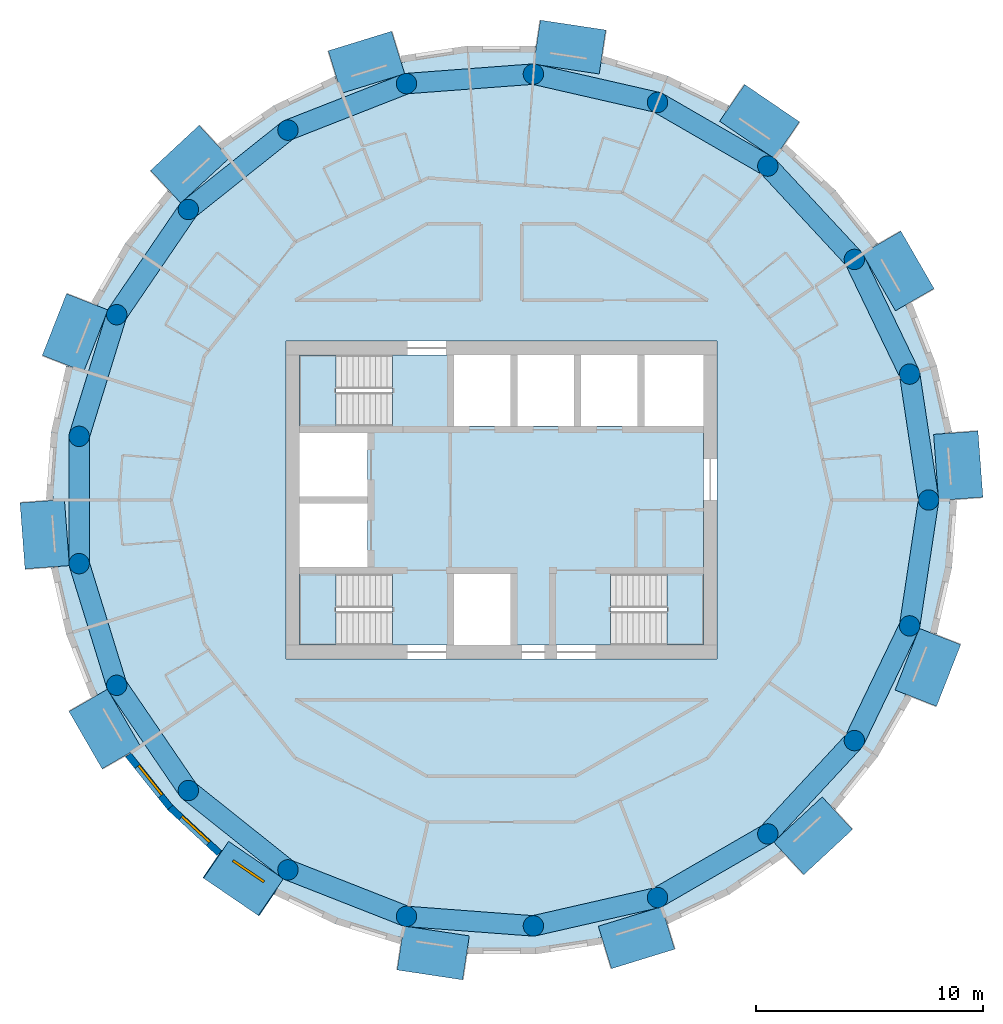
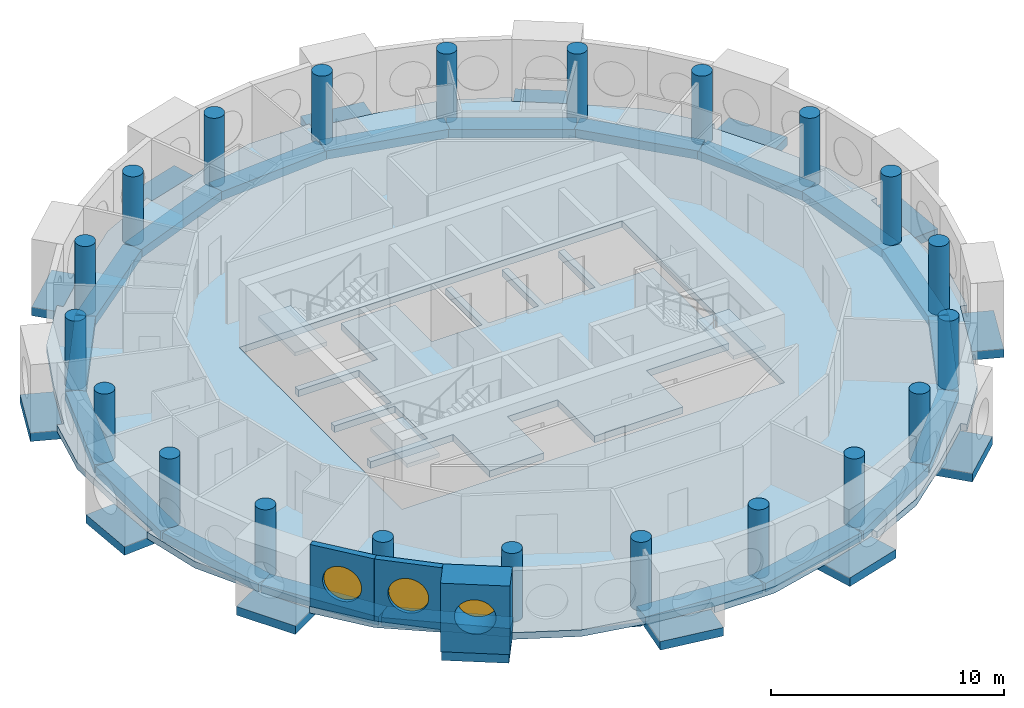
# One storey, part 1 of 13: 35 beams, 21 columns, 5 slabs, 3 walls, 3 windows, 3 openings, 3 elements without a shape of their own.
"""IFC4 building model written with IfcOpenShell, lengths in metres."""

from ifc_helpers import new_model, si_unit, direction, frame, frame_2d, origin, origin_2d, place, context, subcontext, project, spatial, polyline, rectangle, circle, outline, extrude, material, layer, layer_set, material_profile, profile_set, type_object, element, fill, aggregate, save


model = new_model("IFC4")

# Units and contexts
model_context = context("Model", 3, precision=1e-05, world=origin(), true_north=direction((0.0, 1.0)))
body_context = subcontext(model_context, "Body", "Model", "MODEL_VIEW")
ifc_project = project(units=[si_unit("LENGTHUNIT", "METRE"), si_unit("AREAUNIT", "SQUARE_METRE"), si_unit("VOLUMEUNIT", "CUBIC_METRE"), si_unit("PLANEANGLEUNIT", "RADIAN"), si_unit("MASSUNIT", "GRAM", prefix="KILO")], contexts=[model_context])

# Site, building, storey
site_placement = place(None, origin())
site = spatial("IfcSite", under=ifc_project, at=site_placement, CompositionType="ELEMENT")
building_placement = place(site_placement, origin())
building = spatial("IfcBuilding", under=site, at=building_placement, Name="Tracery Tower", CompositionType="ELEMENT")
storey_placement = place(building_placement, frame((0.0, 0.0, 309.0)))
storey = spatial("IfcBuildingStorey", under=building, at=storey_placement, Name="L80", CompositionType="ELEMENT", Elevation=309.0)

# Columns
ifc_material_1 = material(Name="Concrete C40/50", Category="concrete")
ifc_material_profile_1 = material_profile(ifc_material_1, circle(Radius=0.449951171875, at=origin_2d()), Name="RC D900")
ifc_profile_set_1 = profile_set([ifc_material_profile_1], Name="Concrete C40/50")
column_type = type_object("IfcColumnType", Name="Ring 2 column 900", PredefinedType="COLUMN", material=ifc_profile_set_1)
for number, where, z_axis, x_axis, name in (
    (1, (18.822265625, 0.0, 0.0), (0.0, 0.0, 1.0), (1.0, 0.0, 0.0), "Ring 2 column 00 at L80"),
    (2, (17.986083984375, 5.5478515625, 0.0), (0.0, 0.0, 1.0), (1.0, 0.0, 0.0), "Ring 2 column 01 at L80"),
    (3, (15.551513671875, 10.602783203125, 0.0), (0.0, 0.0, 1.0), (1.0, 0.0, 0.0), "Ring 2 column 02 at L80"),
    (4, (11.7353515625, 14.7158203125, 0.0), (0.0, 0.0, 1.0), (1.0, 0.0, 0.0), "Ring 2 column 03 at L80"),
    (5, (6.87646484375, 17.52099609375, 0.0), (0.0, 0.0, 1.0), (1.0, 0.0, 0.0), "Ring 2 column 04 at L80"),
    (6, (1.406494140625, 18.76953125, 0.0), (0.0, 0.0, 1.0), (1.0, 0.0, 0.0), "Ring 2 column 05 at L80"),
    (7, (-4.188232421875, 18.350341796875, 0.0), (0.0, 0.0, 1.0), (1.0, 0.0, 0.0), "Ring 2 column 06 at L80"),
    (8, (-9.4111328125, 16.300537109375, 0.0), (0.0, 0.0, 1.0), (1.0, 0.0, 0.0), "Ring 2 column 07 at L80"),
    (9, (-13.797607421875, 12.802490234375, 0.0), (0.0, 0.0, 1.0), (1.0, 0.0, 0.0), "Ring 2 column 08 at L80"),
    (10, (-16.958251953125, 8.16650390625, 0.0), (0.0, 0.0, 1.0), (1.0, 0.0, 0.0), "Ring 2 column 09 at L80"),
    (11, (-18.612060546875, 2.805419921875, 0.0), (0.0, 0.0, 1.0), (1.0, 0.0, 0.0), "Ring 2 column 10 at L80"),
    (12, (-18.612060546875, -2.805419921875, 0.0), (0.0, 0.0, 1.0), (1.0, 0.0, 0.0), "Ring 2 column 11 at L80"),
    (13, (-16.958251953125, -8.166748046875, 0.0), (0.0, 0.0, 1.0), (1.0, 0.0, 0.0), "Ring 2 column 12 at L80"),
    (14, (-13.797607421875, -12.80224609375, 0.0), (0.0, 0.0, 1.0), (1.0, 0.0, 0.0), "Ring 2 column 13 at L80"),
    (15, (-9.4111328125, -16.300537109375, 0.0), (0.0, 0.0, 1.0), (1.0, 0.0, 0.0), "Ring 2 column 14 at L80"),
    (16, (-4.188232421875, -18.350341796875, 0.0), (0.0, 0.0, 1.0), (1.0, 0.0, 0.0), "Ring 2 column 15 at L80"),
    (17, (1.406494140625, -18.76953125, 0.0), (0.0, 0.0, 1.0), (1.0, 0.0, 0.0), "Ring 2 column 16 at L80"),
    (18, (6.87646484375, -17.52099609375, 0.0), (0.0, 0.0, 1.0), (1.0, 0.0, 0.0), "Ring 2 column 17 at L80"),
    (19, (11.7353515625, -14.7158203125, 0.0), (0.0, 0.0, 1.0), (1.0, 0.0, 0.0), "Ring 2 column 18 at L80"),
    (20, (15.551513671875, -10.602783203125, 0.0), (0.0, 0.0, 1.0), (1.0, 0.0, 0.0), "Ring 2 column 19 at L80"),
    (21, (17.986083984375, -5.5478515625, 0.0), (0.0, 0.0, 1.0), (1.0, 0.0, 0.0), "Ring 2 column 20 at L80"),
):
    element("IfcColumn", number, at=place(storey_placement, frame(where, z_axis=z_axis, x_axis=x_axis)), inside=storey, type_object=column_type, Name=name, PredefinedType="COLUMN", context=body_context, shape_type="SweptSolid", body=[
        extrude(circle(Radius=0.449951171875, at=origin_2d()), origin(), (0.0, 0.0, 1.0), 3.60009765625),
    ])

# Beams
ifc_material_2 = material(Name="Concrete C40/50", Category="concrete")
ifc_material_profile_2 = material_profile(ifc_material_2, rectangle(XDim=1.9599609375, YDim=0.449951171875, at=origin_2d()), Name="RC 1960x450")
ifc_profile_set_2 = profile_set([ifc_material_profile_2], Name="Concrete C40/50")
beam_type_1 = type_object("IfcBeamType", Name="Bay seat beam 1960 x 450", PredefinedType="BEAM", material=ifc_profile_set_2)
for number, where, z_axis, x_axis, name in (
    (22, (20.23876953125, 0.052490234375, -0.574951171875), (-0.074746299058, 0.997202582617, 0.0), (-0.997202582617, -0.074746299058, 0.0), "Bay seat beam 1 at L80"),
    (23, (18.211669921875, 8.82861328125, -0.574951171875), (-0.49998782916, 0.866032430508, 0.0), (-0.866032430508, -0.49998782916, 0.0), "Bay seat beam 4 at L80"),
):
    element("IfcBeam", number, at=place(storey_placement, frame(where, z_axis=z_axis, x_axis=x_axis)), inside=storey, type_object=beam_type_1, Name=name, PredefinedType="BEAM", context=body_context, shape_type="SweptSolid", body=[
        extrude(rectangle(XDim=1.9599609375, YDim=0.449951171875, at=origin_2d()), origin(), (0.0, 0.0, 1.0), 2.919921875),
    ])
beam_1_placement = place(storey_placement, frame((12.57763671875, 15.85595703125, -0.574951171875), z_axis=(-0.826243261144, 0.56331347704, 0.0), x_axis=(-0.56331347704, -0.826243261144, 0.0)))
element("IfcBeam", 24, at=beam_1_placement, inside=storey, type_object=beam_type_1, Name="Bay seat beam 7 at L80", PredefinedType="BEAM", context=body_context, shape_type="SweptSolid", body=[
    extrude(rectangle(XDim=1.9599609375, YDim=0.449951171875, at=origin_2d()), origin(), (0.0, 0.0, 1.0), 2.920166015625),
])
for number, where, z_axis, x_axis, name in (
    (25, (4.4521484375, 19.742919921875, -0.574951171875), (-0.988824450672, 0.149084559069, 0.0), (-0.149084559069, -0.988824450672, 0.0), "Bay seat beam 10 at L80"),
    (26, (-4.554931640625, 19.7197265625, -0.574951171875), (-0.955550927928, -0.294826091343, 0.0), (0.294826091343, -0.955550927928, 0.0), "Bay seat beam 13 at L80"),
):
    element("IfcBeam", number, at=place(storey_placement, frame(where, z_axis=z_axis, x_axis=x_axis)), inside=storey, type_object=beam_type_1, Name=name, PredefinedType="BEAM", context=body_context, shape_type="SweptSolid", body=[
        extrude(rectangle(XDim=1.9599609375, YDim=0.449951171875, at=origin_2d()), origin(), (0.0, 0.0, 1.0), 2.919921875),
    ])
for number, where, z_axis, x_axis, name in (
    (27, (-12.65966796875, 15.79052734375, -0.574951171875), (-0.733073344016, -0.680149595526, 0.0), (0.680149595526, -0.733073344016, 0.0), "Bay seat beam 16 at L80"),
    (28, (-18.25732421875, 8.73388671875, -0.574951171875), (-0.365285021376, -0.930895726254, 0.0), (0.930895726254, -0.365285021376, 0.0), "Bay seat beam 19 at L80"),
):
    element("IfcBeam", number, at=place(storey_placement, frame(where, z_axis=z_axis, x_axis=x_axis)), inside=storey, type_object=beam_type_1, Name=name, PredefinedType="BEAM", context=body_context, shape_type="SweptSolid", body=[
        extrude(rectangle(XDim=1.9599609375, YDim=0.449951171875, at=origin_2d()), origin(), (0.0, 0.0, 1.0), 2.920166015625),
    ])
for number, where, z_axis, x_axis, name in (
    (29, (-20.23876953125, -0.052490234375, -0.574951171875), (0.074746299058, -0.997202582617, 0.0), (0.997202582617, 0.074746299058, 0.0), "Bay seat beam 22 at L80"),
    (30, (-18.211669921875, -8.82861328125, -0.574951171875), (0.49998782916, -0.866032430508, 0.0), (0.866032430508, 0.49998782916, 0.0), "Bay seat beam 25 at L80"),
):
    element("IfcBeam", number, at=place(storey_placement, frame(where, z_axis=z_axis, x_axis=x_axis)), inside=storey, type_object=beam_type_1, Name=name, PredefinedType="BEAM", context=body_context, shape_type="SweptSolid", body=[
        extrude(rectangle(XDim=1.9599609375, YDim=0.449951171875, at=origin_2d()), origin(), (0.0, 0.0, 1.0), 2.919921875),
    ])
beam_2_placement = place(storey_placement, frame((-12.57763671875, -15.85595703125, -0.574951171875), z_axis=(0.826243261144, -0.56331347704, 0.0), x_axis=(0.56331347704, 0.826243261144, 0.0)))
element("IfcBeam", 31, at=beam_2_placement, inside=storey, type_object=beam_type_1, Name="Bay seat beam 28 at L80", PredefinedType="BEAM", context=body_context, shape_type="SweptSolid", body=[
    extrude(rectangle(XDim=1.9599609375, YDim=0.449951171875, at=origin_2d()), origin(), (0.0, 0.0, 1.0), 2.920166015625),
])
for number, where, z_axis, x_axis, name in (
    (32, (-4.4521484375, -19.742919921875, -0.574951171875), (0.988824450672, -0.149084559069, 0.0), (0.149084559069, 0.988824450672, 0.0), "Bay seat beam 31 at L80"),
    (33, (4.554931640625, -19.7197265625, -0.574951171875), (0.955550927928, 0.294826091343, 0.0), (-0.294826091343, 0.955550927928, 0.0), "Bay seat beam 34 at L80"),
):
    element("IfcBeam", number, at=place(storey_placement, frame(where, z_axis=z_axis, x_axis=x_axis)), inside=storey, type_object=beam_type_1, Name=name, PredefinedType="BEAM", context=body_context, shape_type="SweptSolid", body=[
        extrude(rectangle(XDim=1.9599609375, YDim=0.449951171875, at=origin_2d()), origin(), (0.0, 0.0, 1.0), 2.919921875),
    ])
for number, where, z_axis, x_axis, name in (
    (34, (12.65966796875, -15.79052734375, -0.574951171875), (0.733073344016, 0.680149595526, 0.0), (-0.680149595526, 0.733073344016, 0.0), "Bay seat beam 37 at L80"),
    (35, (18.25732421875, -8.73388671875, -0.574951171875), (0.365285021376, 0.930895726254, 0.0), (-0.930895726254, 0.365285021376, 0.0), "Bay seat beam 40 at L80"),
):
    element("IfcBeam", number, at=place(storey_placement, frame(where, z_axis=z_axis, x_axis=x_axis)), inside=storey, type_object=beam_type_1, Name=name, PredefinedType="BEAM", context=body_context, shape_type="SweptSolid", body=[
        extrude(rectangle(XDim=1.9599609375, YDim=0.449951171875, at=origin_2d()), origin(), (0.0, 0.0, 1.0), 2.920166015625),
    ])
ifc_material_3 = material(Name="Concrete C40/50", Category="concrete")
ifc_material_profile_3 = material_profile(ifc_material_3, rectangle(XDim=0.89990234375, YDim=0.449951171875, at=origin_2d()), Name="RC 900x450")
ifc_profile_set_3 = profile_set([ifc_material_profile_3], Name="Concrete C40/50")
beam_type_2 = type_object("IfcBeamType", Name="Perimeter band beam 900x450", PredefinedType="BEAM", material=ifc_profile_set_3)
for number, where, z_axis, x_axis, name in (
    (36, (18.822265625, 0.0, -0.574951171875), (-0.149038355855, 0.988831415603, 0.0), (-0.988831415603, -0.149038355855, 0.0), "Perimeter beam 2.00 under L80"),
    (37, (17.986083984375, 5.5478515625, -0.574951171875), (-0.433918973155, 0.900951899235, 0.0), (-0.900951899235, -0.433918973155, 0.0), "Perimeter beam 2.01 under L80"),
):
    element("IfcBeam", number, at=place(storey_placement, frame(where, z_axis=z_axis, x_axis=x_axis)), inside=storey, type_object=beam_type_2, Name=name, PredefinedType="BEAM", context=body_context, shape_type="SweptSolid", body=[
        extrude(rectangle(XDim=0.89990234375, YDim=0.449951171875, at=origin_2d()), origin(), (0.0, 0.0, 1.0), 5.610595703125),
    ])
beam_3_placement = place(storey_placement, frame((15.551513671875, 10.602783203125, -0.574951171875), z_axis=(-0.680155630824, 0.733067744386, 0.0), x_axis=(-0.733067744386, -0.680155630824, 0.0)))
element("IfcBeam", 38, at=beam_3_placement, inside=storey, type_object=beam_type_2, Name="Perimeter beam 2.02 under L80", PredefinedType="BEAM", context=body_context, shape_type="SweptSolid", body=[
    extrude(rectangle(XDim=0.89990234375, YDim=0.449951171875, at=origin_2d()), origin(), (0.0, 0.0, 1.0), 5.61083984375),
])
for number, where, z_axis, x_axis, name in (
    (39, (11.7353515625, 14.7158203125, -0.574951171875), (-0.866033412818, 0.49998612769, 0.0), (-0.49998612769, -0.866033412818, 0.0), "Perimeter beam 2.03 under L80"),
    (40, (6.87646484375, 17.52099609375, -0.574951171875), (-0.974925977366, 0.222529410768, 0.0), (-0.222529410768, -0.974925977366, 0.0), "Perimeter beam 2.04 under L80"),
):
    element("IfcBeam", number, at=place(storey_placement, frame(where, z_axis=z_axis, x_axis=x_axis)), inside=storey, type_object=beam_type_2, Name=name, PredefinedType="BEAM", context=body_context, shape_type="SweptSolid", body=[
        extrude(rectangle(XDim=0.89990234375, YDim=0.449951171875, at=origin_2d()), origin(), (0.0, 0.0, 1.0), 5.610595703125),
    ])
beam_4_placement = place(storey_placement, frame((1.406494140625, 18.76953125, -0.574951171875), z_axis=(-0.997204824387, -0.07471638521, 0.0), x_axis=(0.07471638521, -0.997204824387, 0.0)))
element("IfcBeam", 41, at=beam_4_placement, inside=storey, type_object=beam_type_2, Name="Perimeter beam 2.05 under L80", PredefinedType="BEAM", context=body_context, shape_type="SweptSolid", body=[
    extrude(rectangle(XDim=0.89990234375, YDim=0.449951171875, at=origin_2d()), origin(), (0.0, 0.0, 1.0), 5.6103515625),
])
beam_5_placement = place(storey_placement, frame((-4.188232421875, 18.350341796875, -0.574951171875), z_axis=(-0.930875728468, -0.365335979817, 0.0), x_axis=(0.365335979817, -0.930875728468, 0.0)))
element("IfcBeam", 42, at=beam_5_placement, inside=storey, type_object=beam_type_2, Name="Perimeter beam 2.06 under L80", PredefinedType="BEAM", context=body_context, shape_type="SweptSolid", body=[
    extrude(rectangle(XDim=0.89990234375, YDim=0.449951171875, at=origin_2d()), origin(), (0.0, 0.0, 1.0), 5.61083984375),
])
beam_6_placement = place(storey_placement, frame((-9.4111328125, 16.300537109375, -0.574951171875), z_axis=(-0.781835817725, -0.623484365579, 0.0), x_axis=(0.623484365579, -0.781835817725, 0.0)))
element("IfcBeam", 43, at=beam_6_placement, inside=storey, type_object=beam_type_2, Name="Perimeter beam 2.07 under L80", PredefinedType="BEAM", context=body_context, shape_type="SweptSolid", body=[
    extrude(rectangle(XDim=0.89990234375, YDim=0.449951171875, at=origin_2d()), origin(), (0.0, 0.0, 1.0), 5.610595703125),
])
beam_7_placement = place(storey_placement, frame((-13.797607421875, 12.802490234375, -0.574951171875), z_axis=(-0.563305770578, -0.826248515178, 0.0), x_axis=(0.826248515178, -0.563305770578, 0.0)))
element("IfcBeam", 44, at=beam_7_placement, inside=storey, type_object=beam_type_2, Name="Perimeter beam 2.08 under L80", PredefinedType="BEAM", context=body_context, shape_type="SweptSolid", body=[
    extrude(rectangle(XDim=0.89990234375, YDim=0.449951171875, at=origin_2d()), origin(), (0.0, 0.0, 1.0), 5.61083984375),
])
beam_8_placement = place(storey_placement, frame((-16.958251953125, 8.16650390625, -0.574951171875), z_axis=(-0.294776851839, -0.955566118916, 0.0), x_axis=(0.955566118916, -0.294776851839, 0.0)))
element("IfcBeam", 45, at=beam_8_placement, inside=storey, type_object=beam_type_2, Name="Perimeter beam 2.09 under L80", PredefinedType="BEAM", context=body_context, shape_type="SweptSolid", body=[
    extrude(rectangle(XDim=0.89990234375, YDim=0.449951171875, at=origin_2d()), origin(), (0.0, 0.0, 1.0), 5.6103515625),
])
beam_9_placement = place(storey_placement, frame((-18.612060546875, 2.805419921875, -0.574951171875), z_axis=(0.0, -1.0, 0.0), x_axis=(1.0, 0.0, 0.0)))
element("IfcBeam", 46, at=beam_9_placement, inside=storey, type_object=beam_type_2, Name="Perimeter beam 2.10 under L80", PredefinedType="BEAM", context=body_context, shape_type="SweptSolid", body=[
    extrude(rectangle(XDim=0.89990234375, YDim=0.449951171875, at=origin_2d()), origin(), (0.0, 0.0, 1.0), 5.61083984375),
])
for number, where, z_axis, x_axis, name in (
    (47, (-18.612060546875, -2.805419921875, -0.574951171875), (0.294764594813, -0.955569899926, 0.0), (0.955569899926, 0.294764594813, 0.0), "Perimeter beam 2.11 under L80"),
    (48, (-16.958251953125, -8.166748046875, -0.574951171875), (0.5633462764, -0.826220898348, 0.0), (0.826220898348, 0.5633462764, 0.0), "Perimeter beam 2.12 under L80"),
    (49, (-13.797607421875, -12.80224609375, -0.574951171875), (0.781814605872, -0.623510963853, 0.0), (0.623510963853, 0.781814605872, 0.0), "Perimeter beam 2.13 under L80"),
):
    element("IfcBeam", number, at=place(storey_placement, frame(where, z_axis=z_axis, x_axis=x_axis)), inside=storey, type_object=beam_type_2, Name=name, PredefinedType="BEAM", context=body_context, shape_type="SweptSolid", body=[
        extrude(rectangle(XDim=0.89990234375, YDim=0.449951171875, at=origin_2d()), origin(), (0.0, 0.0, 1.0), 5.610595703125),
    ])
beam_10_placement = place(storey_placement, frame((-9.4111328125, -16.300537109375, -0.574951171875), z_axis=(0.930875728468, -0.365335979817, 0.0), x_axis=(0.365335979817, 0.930875728468, 0.0)))
element("IfcBeam", 50, at=beam_10_placement, inside=storey, type_object=beam_type_2, Name="Perimeter beam 2.14 under L80", PredefinedType="BEAM", context=body_context, shape_type="SweptSolid", body=[
    extrude(rectangle(XDim=0.89990234375, YDim=0.449951171875, at=origin_2d()), origin(), (0.0, 0.0, 1.0), 5.61083984375),
])
beam_11_placement = place(storey_placement, frame((-4.188232421875, -18.350341796875, -0.574951171875), z_axis=(0.997204824387, -0.07471638521, 0.0), x_axis=(0.07471638521, 0.997204824387, 0.0)))
element("IfcBeam", 51, at=beam_11_placement, inside=storey, type_object=beam_type_2, Name="Perimeter beam 2.15 under L80", PredefinedType="BEAM", context=body_context, shape_type="SweptSolid", body=[
    extrude(rectangle(XDim=0.89990234375, YDim=0.449951171875, at=origin_2d()), origin(), (0.0, 0.0, 1.0), 5.6103515625),
])
for number, where, z_axis, x_axis, name in (
    (52, (1.406494140625, -18.76953125, -0.574951171875), (0.974925977366, 0.222529410768, 0.0), (-0.222529410768, 0.974925977366, 0.0), "Perimeter beam 2.16 under L80"),
    (53, (6.87646484375, -17.52099609375, -0.574951171875), (0.866033412818, 0.49998612769, 0.0), (-0.49998612769, 0.866033412818, 0.0), "Perimeter beam 2.17 under L80"),
):
    element("IfcBeam", number, at=place(storey_placement, frame(where, z_axis=z_axis, x_axis=x_axis)), inside=storey, type_object=beam_type_2, Name=name, PredefinedType="BEAM", context=body_context, shape_type="SweptSolid", body=[
        extrude(rectangle(XDim=0.89990234375, YDim=0.449951171875, at=origin_2d()), origin(), (0.0, 0.0, 1.0), 5.610595703125),
    ])
beam_12_placement = place(storey_placement, frame((11.7353515625, -14.7158203125, -0.574951171875), z_axis=(0.680155630824, 0.733067744386, 0.0), x_axis=(-0.733067744386, 0.680155630824, 0.0)))
element("IfcBeam", 54, at=beam_12_placement, inside=storey, type_object=beam_type_2, Name="Perimeter beam 2.18 under L80", PredefinedType="BEAM", context=body_context, shape_type="SweptSolid", body=[
    extrude(rectangle(XDim=0.89990234375, YDim=0.449951171875, at=origin_2d()), origin(), (0.0, 0.0, 1.0), 5.61083984375),
])
for number, where, z_axis, x_axis, name in (
    (55, (15.551513671875, -10.602783203125, -0.574951171875), (0.433918973155, 0.900951899235, 0.0), (-0.900951899235, 0.433918973155, 0.0), "Perimeter beam 2.19 under L80"),
    (56, (17.986083984375, -5.5478515625, -0.574951171875), (0.149038355855, 0.988831415603, 0.0), (-0.988831415603, 0.149038355855, 0.0), "Perimeter beam 2.20 under L80"),
):
    element("IfcBeam", number, at=place(storey_placement, frame(where, z_axis=z_axis, x_axis=x_axis)), inside=storey, type_object=beam_type_2, Name=name, PredefinedType="BEAM", context=body_context, shape_type="SweptSolid", body=[
        extrude(rectangle(XDim=0.89990234375, YDim=0.449951171875, at=origin_2d()), origin(), (0.0, 0.0, 1.0), 5.610595703125),
    ])

# Slabs
ifc_material_4 = material(Name="Concrete C40/50", Category="concrete")
ifc_layer_1 = layer(ifc_material_4, 0.35009765625)
ifc_layer_set_1 = layer_set([ifc_layer_1], Name="Core floor slab 350 C40")
slab_type_1 = type_object("IfcSlabType", Name="Core floor slab 350 C40", PredefinedType="FLOOR", material=ifc_layer_set_1)
slab_1_placement = place(storey_placement, frame((0.0, 0.0, -0.35009765625)))
element("IfcSlab", 57, at=slab_1_placement, inside=storey, type_object=slab_type_1, Name="L80 core floor 1", PredefinedType="FLOOR", context=body_context, shape_type="SweptSolid", body=[
    extrude(outline(polyline([(-4.800537109375, -3.25), (-8.89990234375, -3.25), (-8.89990234375, -2.949951171875), (-5.89990234375, -2.949951171875), (-5.89990234375, -0.14990234375), (-8.89990234375, -0.14990234375), (-8.89990234375, 0.14990234375), (-5.89990234375, 0.14990234375), (-5.89990234375, 2.949951171875), (-8.89990234375, 2.949951171875), (-8.89990234375, 3.25), (-4.800537109375, 3.25), (-4.800537109375, 6.39990234375), (-2.10009765625, 6.39990234375), (-2.10009765625, 3.25), (0.39990234375, 3.25), (0.39990234375, 6.39990234375), (0.699951171875, 6.39990234375), (0.699951171875, 3.25), (3.199951171875, 3.25), (3.199951171875, 6.39990234375), (3.5, 6.39990234375), (3.5, 3.25), (6.0, 3.25), (6.0, 6.39990234375), (6.300048828125, 6.39990234375), (6.300048828125, 3.25), (8.89990234375, 3.25), (8.89990234375, -3.25), (4.800537109375, -3.25), (4.800537109375, -6.39990234375), (0.39990234375, -6.39990234375), (0.39990234375, -3.25), (-2.10009765625, -3.25), (-2.10009765625, -6.39990234375), (-4.800537109375, -6.39990234375), (-4.800537109375, -3.25)])), origin(), (0.0, 0.0, 1.0), 0.35009765625),
])
ifc_material_5 = material(Name="Concrete C40/50", Category="concrete")
ifc_layer_2 = layer(ifc_material_5, 0.35009765625)
ifc_layer_set_2 = layer_set([ifc_layer_2], Name="Floor slab 350")
slab_type_2 = type_object("IfcSlabType", Name="Floor slab 350", PredefinedType="FLOOR", material=ifc_layer_set_2)
slab_2_placement = place(storey_placement, frame((0.0, 0.0, -0.35009765625)))
element("IfcSlab", 58, at=slab_2_placement, inside=storey, type_object=slab_type_2, Name="Floor slab L80", PredefinedType="FLOOR", context=body_context, shape_type="SweptSolid", body=[
    extrude(outline(polyline([(19.550537109375, 2.94677734375), (19.548828125, 2.96923828125), (19.847900390625, 2.99169921875), (19.180419921875, 5.91650390625), (17.813720703125, 8.577880859375), (16.32470703125, 11.156982421875), (16.583984375, 11.306884765625), (16.58447265625, 11.30712890625), (14.714111328125, 13.652587890625), (12.3271484375, 15.4580078125), (9.8671875, 17.13525390625), (10.0361328125, 17.383056640625), (7.333251953125, 18.684814453125), (4.3994140625, 19.275634765625), (2.3466796875, 19.585205078125), (1.455322265625, 19.719482421875), (1.5, 20.01611328125), (1.5, 20.01611328125), (-1.5, 20.01611328125), (-4.3994140625, 19.275634765625), (-7.223388671875, 18.404541015625), (-7.223388671875, 18.404541015625), (-7.244873046875, 18.39794921875), (-7.333251953125, 18.684814453125), (-10.0361328125, 17.383056640625), (-12.3271484375, 15.4580078125), (-14.493408203125, 13.447998046875), (-14.493408203125, 13.447998046875), (-14.510009765625, 13.4326171875), (-14.714111328125, 13.652587890625), (-14.714111328125, 13.652587890625), (-16.58447265625, 11.30712890625), (-17.81298828125, 8.5791015625), (-18.901123046875, 5.806884765625), (-19.180419921875, 5.91650390625), (-19.847900390625, 2.99169921875), (-19.771484375, 0.000732421875), (-19.63720703125, -1.789306640625), (-19.550537109375, -2.94677734375), (-19.550537109375, -2.94677734375), (-19.548828125, -2.96923828125), (-19.847900390625, -2.99169921875), (-19.180419921875, -5.91650390625), (-17.813720703125, -8.577880859375), (-16.32470703125, -11.156982421875), (-16.583984375, -11.306884765625), (-16.58447265625, -11.30712890625), (-14.714111328125, -13.652587890625), (-12.3271484375, -15.4580078125), (-9.8671875, -17.13525390625), (-10.0361328125, -17.383056640625), (-7.333251953125, -18.684814453125), (-4.3994140625, -19.275634765625), (-2.3466796875, -19.585205078125), (-1.455322265625, -19.719482421875), (-1.5, -20.01611328125), (-1.5, -20.01611328125), (1.5, -20.01611328125), (4.3994140625, -19.275634765625), (7.223388671875, -18.404541015625), (7.223388671875, -18.404541015625), (7.244873046875, -18.39794921875), (7.333251953125, -18.684814453125), (10.0361328125, -17.383056640625), (12.3271484375, -15.4580078125), (14.493408203125, -13.447998046875), (14.493408203125, -13.447998046875), (14.510009765625, -13.4326171875), (14.714111328125, -13.652587890625), (14.714111328125, -13.652587890625), (16.58447265625, -11.30712890625), (17.81298828125, -8.5791015625), (18.901123046875, -5.806884765625), (19.180419921875, -5.91650390625), (19.847900390625, -2.99169921875), (19.771484375, -0.000732421875), (19.63720703125, 1.789306640625), (19.550537109375, 2.94677734375), (19.550537109375, 2.94677734375)]), holes=[polyline([(-9.5, -7.0), (9.5, -7.0), (9.5, 7.0), (-9.5, 7.0), (-9.5, -7.0)])]), origin(), (0.0, 0.0, 1.0), 0.35009765625),
])

# Stair, slab
ifc_material_6 = material(Name="Concrete C32/40", Category="concrete")
stair_type = type_object("IfcStairType", Name="Core stair 22 risers", PredefinedType="HALF_TURN_STAIR", material=ifc_material_6)
stair_1_placement = place(storey_placement, origin())
stair_1 = element("IfcStair", 59, at=stair_1_placement, inside=storey, type_object=stair_type, Name="L80 stair ST1", PredefinedType="HALF_TURN_STAIR")
ifc_material_7 = material(Name="Concrete C32/40", Category="concrete")
ifc_layer_3 = layer(ifc_material_7, 0.199951171875)
ifc_layer_set_3 = layer_set([ifc_layer_3], Name="Stair landing slab 200")
slab_type_3 = type_object("IfcSlabType", Name="Stair landing slab 200", PredefinedType="LANDING", material=ifc_layer_set_3)
slab_3_placement = place(storey_placement, frame((0.0, 0.0, 1.60009765625)))
slab_3 = element("IfcSlab", 60, at=slab_3_placement, type_object=slab_type_3, Name="ST1 landing 1", PredefinedType="LANDING", context=body_context, shape_type="SweptSolid", body=[
    extrude(outline(polyline([(-7.29931640625, -3.25), (-8.89990234375, -3.25), (-8.89990234375, -6.39990234375), (-7.29931640625, -6.39990234375), (-7.29931640625, -3.25)])), origin(), (0.0, 0.0, 1.0), 0.199951171875),
])
aggregate(stair_1, [slab_3])

stair_2_placement = place(storey_placement, origin())
stair_2 = element("IfcStair", 61, at=stair_2_placement, inside=storey, type_object=stair_type, Name="L80 stair ST3", PredefinedType="HALF_TURN_STAIR")
slab_4_placement = place(storey_placement, frame((0.0, 0.0, 1.60009765625)))
slab_4 = element("IfcSlab", 62, at=slab_4_placement, type_object=slab_type_3, Name="ST3 landing 1", PredefinedType="LANDING", context=body_context, shape_type="SweptSolid", body=[
    extrude(outline(polyline([(-7.29931640625, 6.39990234375), (-8.89990234375, 6.39990234375), (-8.89990234375, 3.25), (-7.29931640625, 3.25), (-7.29931640625, 6.39990234375)])), origin(), (0.0, 0.0, 1.0), 0.199951171875),
])
aggregate(stair_2, [slab_4])

stair_3_placement = place(storey_placement, origin())
stair_3 = element("IfcStair", 63, at=stair_3_placement, inside=storey, type_object=stair_type, Name="L80 stair ST2", PredefinedType="HALF_TURN_STAIR")
slab_5_placement = place(storey_placement, frame((0.0, 0.0, 1.60009765625)))
slab_5 = element("IfcSlab", 64, at=slab_5_placement, type_object=slab_type_3, Name="ST2 landing 1", PredefinedType="LANDING", context=body_context, shape_type="SweptSolid", body=[
    extrude(outline(polyline([(7.29931640625, -6.39990234375), (8.89990234375, -6.39990234375), (8.89990234375, -3.25), (7.29931640625, -3.25), (7.29931640625, -6.39990234375)])), origin(), (0.0, 0.0, 1.0), 0.199951171875),
])
aggregate(stair_3, [slab_5])

# Wall, opening, window
ifc_material_8 = material(Name="Precast concrete C50/60", Category="concrete")
ifc_layer_4 = layer(ifc_material_8, 1.449951171875)
ifc_layer_set_4 = layer_set([ifc_layer_4], Name="Deep-set bay unit 3000 x 3600, slab edge 350")
wall_type_1 = type_object("IfcWallType", Name="Deep-set bay unit 3000 x 3600, slab edge 350", PredefinedType="ELEMENTEDWALL", material=ifc_layer_set_4)
wall_1_placement = place(storey_placement, frame((-12.754150390625, -16.044189453125, -0.35009765625), z_axis=(0.0, 0.0, 1.0), x_axis=(0.826246281157, -0.563309047392, 0.0)))
wall_1 = element("IfcWall", 65, at=wall_1_placement, inside=storey, type_object=wall_type_1, Name="Deep-set bay unit 28 at L80", PredefinedType="ELEMENTEDWALL", context=body_context, shape_type="SweptSolid", body=[
    extrude(rectangle(XDim=3.0, YDim=1.449951171875, at=frame_2d((1.5, 0.0))), origin(), (0.0, 0.0, 1.0), 3.60009765625),
])
opening_1_placement = place(wall_1_placement, frame((1.5, 0.0, 1.89990234375)))
opening_1 = element("IfcOpeningElement", 66, at=opening_1_placement, cuts=wall_1, Name="Opening WN1", PredefinedType="OPENING", context=body_context, shape_type="SweptSolid", body=[
    extrude(circle(Radius=0.9000244140625, at=origin_2d()), frame((0.0, 0.73486328125, 0.0), z_axis=(0.0, -1.0, 0.0), x_axis=(1.0, 0.0, 0.0)), (0.0, 0.0, 1.0), 1.469970703125),
])
ifc_material_9 = material(Name="Aluminium frame with tinted double glazing", Category="aluminium")
window_type = type_object("IfcWindowType", Name="Round window 1800", PartitioningType="SINGLE_PANEL", PredefinedType="WINDOW", material=ifc_material_9)
window_1_placement = place(opening_1_placement, origin())
window_1 = element("IfcWindow", 67, at=window_1_placement, inside=storey, type_object=window_type, Name="Round window 28 at L80", OverallHeight=1.800048828125, OverallWidth=1.800048828125, PartitioningType="SINGLE_PANEL", PredefinedType="WINDOW", context=body_context, shape_type="SweptSolid", body=[
    extrude(circle(Radius=0.9000244140625, at=origin_2d()), frame((0.0, 0.69482421875, 0.0), z_axis=(0.0, -1.0, 0.0), x_axis=(1.0, 0.0, 0.0)), (0.0, 0.0, 1.0), 0.10009765625),
])
fill(opening_1, window_1)

ifc_material_10 = material(Name="Precast concrete C50/60", Category="concrete")
ifc_layer_5 = layer(ifc_material_10, 0.300048828125)
ifc_layer_set_5 = layer_set([ifc_layer_5], Name="Facade panel 3000 x 3250")
wall_type_2 = type_object("IfcWallType", Name="Facade panel 3000 x 3250", PredefinedType="SOLIDWALL", material=ifc_layer_set_5)
wall_2_placement = place(storey_placement, frame((-16.45068359375, -11.234375, 0.0), z_axis=(0.0, 0.0, 1.0), x_axis=(0.623498236992, -0.781824755599, 0.0)))
wall_2 = element("IfcWall", 68, at=wall_2_placement, inside=storey, type_object=wall_type_2, Name="Facade panel 26 at L80", PredefinedType="SOLIDWALL", context=body_context, shape_type="SweptSolid", body=[
    extrude(rectangle(XDim=2.962158203125, YDim=0.300048828125, at=frame_2d((1.48095703125, 0.0))), origin(), (0.0, 0.0, 1.0), 3.25),
])
opening_2_placement = place(wall_2_placement, frame((1.48095703125, 0.0, 1.5498046875)))
opening_2 = element("IfcOpeningElement", 69, at=opening_2_placement, cuts=wall_2, Name="Opening WN1", PredefinedType="OPENING", context=body_context, shape_type="SweptSolid", body=[
    extrude(circle(Radius=0.9000244140625, at=origin_2d()), frame((0.0, 0.159912109375, 0.0), z_axis=(0.0, -1.0, 0.0), x_axis=(1.0, 0.0, 0.0)), (0.0, 0.0, 1.0), 0.320068359375),
])
window_2_placement = place(opening_2_placement, origin())
window_2 = element("IfcWindow", 70, at=window_2_placement, inside=storey, type_object=window_type, Name="Round window 26 at L80", OverallHeight=1.800048828125, OverallWidth=1.800048828125, PartitioningType="SINGLE_PANEL", PredefinedType="WINDOW", context=body_context, shape_type="SweptSolid", body=[
    extrude(circle(Radius=0.9000244140625, at=origin_2d()), frame((0.0, 0.1201171875, 0.0), z_axis=(0.0, -1.0, 0.0), x_axis=(1.0, 0.0, 0.0)), (0.0, 0.0, 1.0), 0.10009765625),
])
fill(opening_2, window_2)

wall_3_placement = place(storey_placement, frame((-14.603759765625, -13.55029296875, 0.0), z_axis=(0.0, 0.0, 1.0), x_axis=(0.733066412643, -0.680157066165, 0.0)))
wall_3 = element("IfcWall", 71, at=wall_3_placement, inside=storey, type_object=wall_type_2, Name="Facade panel 27 at L80", PredefinedType="SOLIDWALL", context=body_context, shape_type="SweptSolid", body=[
    extrude(rectangle(XDim=2.96240234375, YDim=0.300048828125, at=frame_2d((1.481201171875, 0.0))), origin(), (0.0, 0.0, 1.0), 3.25),
])
opening_3_placement = place(wall_3_placement, frame((1.48095703125, 0.0, 1.5498046875)))
opening_3 = element("IfcOpeningElement", 72, at=opening_3_placement, cuts=wall_3, Name="Opening WN1", PredefinedType="OPENING", context=body_context, shape_type="SweptSolid", body=[
    extrude(circle(Radius=0.9000244140625, at=origin_2d()), frame((0.0, 0.159912109375, 0.0), z_axis=(0.0, -1.0, 0.0), x_axis=(1.0, 0.0, 0.0)), (0.0, 0.0, 1.0), 0.320068359375),
])
window_3_placement = place(opening_3_placement, origin())
window_3 = element("IfcWindow", 73, at=window_3_placement, inside=storey, type_object=window_type, Name="Round window 27 at L80", OverallHeight=1.800048828125, OverallWidth=1.800048828125, PartitioningType="SINGLE_PANEL", PredefinedType="WINDOW", context=body_context, shape_type="SweptSolid", body=[
    extrude(circle(Radius=0.9000244140625, at=origin_2d()), frame((0.0, 0.1201171875, 0.0), z_axis=(0.0, -1.0, 0.0), x_axis=(1.0, 0.0, 0.0)), (0.0, 0.0, 1.0), 0.10009765625),
])
fill(opening_3, window_3)

save(model, "model.ifc")
